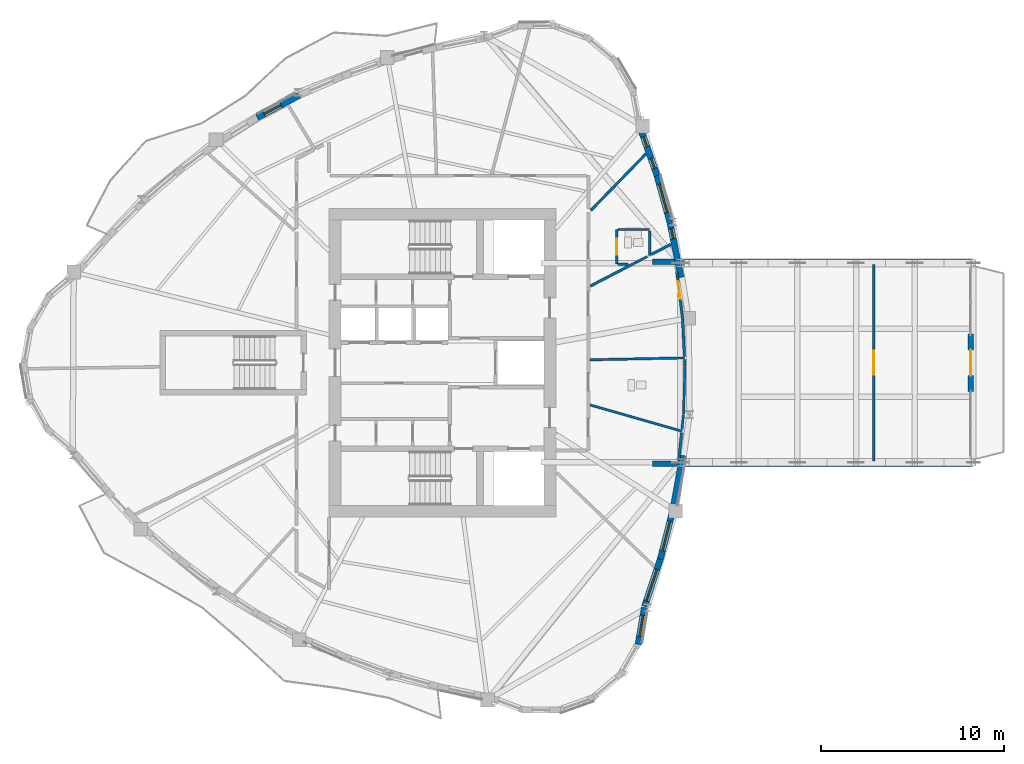
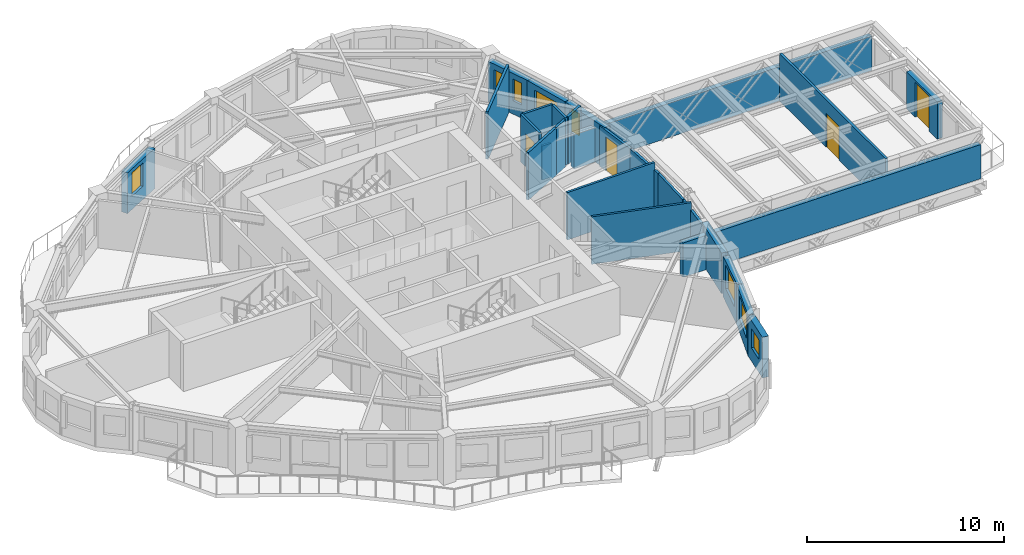
# One storey, part 8 of 13: 28 walls, 8 windows, 4 doors, 12 openings.
"""IFC4 building model written with IfcOpenShell, lengths in metres."""

from ifc_helpers import new_model, si_unit, direction, frame, frame_2d, origin, place, context, subcontext, project, spatial, rectangle, extrude, source, transform, mapped, material, layer, layer_set, type_object, element, fill, save


model = new_model("IFC4")

# Units and contexts
model_context = context("Model", 3, precision=1e-05, world=origin(), true_north=direction((0.0, 1.0)))
body_context = subcontext(model_context, "Body", "Model", "MODEL_VIEW")
ifc_project = project(units=[si_unit("LENGTHUNIT", "METRE"), si_unit("AREAUNIT", "SQUARE_METRE"), si_unit("VOLUMEUNIT", "CUBIC_METRE"), si_unit("PLANEANGLEUNIT", "RADIAN"), si_unit("MASSUNIT", "GRAM", prefix="KILO")], contexts=[model_context])

# Site, building, storey
site_placement = place(None, origin())
site = spatial("IfcSite", under=ifc_project, at=site_placement, CompositionType="ELEMENT")
building_placement = place(site_placement, origin())
building = spatial("IfcBuilding", under=site, at=building_placement, Name="Qafzar Sky-Pleat Residences", CompositionType="ELEMENT")
storey_placement = place(building_placement, frame((0.0, 0.0, 152.199951171875)))
storey = spatial("IfcBuildingStorey", under=building, at=storey_placement, Name="L45", CompositionType="ELEMENT", Elevation=152.199951171875)

# Wall, opening, door
ifc_material_1 = material(Name="Acoustic gypsum plasterboard partition", Category="gypsum")
ifc_layer_1 = layer(ifc_material_1, 0.14501953125)
ifc_layer_set_1 = layer_set([ifc_layer_1], Name="Acoustic gypsum plasterboard partition")
wall_type_1 = type_object("IfcWallType", Name="PART-UNIT-145", PredefinedType="PARTITIONING", material=ifc_layer_set_1)
wall_1_placement = place(storey_placement, frame((53.93798828125, 31.362060546875, 0.0), z_axis=(0.0, 0.0, 1.0), x_axis=(0.0, -1.0, 0.0)))
wall_1 = element("IfcWall", 1, at=wall_1_placement, inside=storey, type_object=wall_type_1, Name="L45 Partition Wall PART-L45-PW-001", PredefinedType="PARTITIONING", context=body_context, shape_type="SweptSolid", body=[
    extrude(rectangle(XDim=10.72412109375, YDim=0.14501953125, at=frame_2d((5.362060546875, 0.0))), origin(), (0.0, 0.0, 1.0), 2.93505859375),
])
opening_1_placement = place(wall_1_placement, frame((4.7119140625, 0.0, 0.0)))
opening_1 = element("IfcOpeningElement", 2, at=opening_1_placement, cuts=wall_1, Name="Opening ID-05", PredefinedType="OPENING", context=body_context, shape_type="SweptSolid", body=[
    extrude(rectangle(XDim=1.300048828125, YDim=2.10009765625, at=frame_2d((0.64990234375, 1.050048828125))), frame((0.0, 0.08251953125, 0.0), z_axis=(0.0, -1.0, 0.0), x_axis=(1.0, 0.0, 0.0)), (0.0, 0.0, 1.0), 0.1650390625),
])
ifc_material_2 = material(Name="Timber-faced fire door", Category="wood")
door_type_1 = type_object("IfcDoorType", Name="DR-LNG-1300", OperationType="DOUBLE_DOOR_SINGLE_SWING", PredefinedType="DOOR", material=ifc_material_2)
shared_shape_1 = source(origin(), body_context, "Body", "SweptSolid", [
    extrude(rectangle(XDim=1.300048828125, YDim=2.10009765625, at=frame_2d((0.64990234375, 1.050048828125))), frame((0.0, 0.02490234375, 0.0), z_axis=(0.0, -1.0, 0.0), x_axis=(1.0, 0.0, 0.0)), (0.0, 0.0, 1.0), 0.050048828125),
])
door_1_placement = place(opening_1_placement, origin())
door_1 = element("IfcDoor", 3, at=door_1_placement, inside=storey, type_object=door_type_1, Name="L45 Panorama Sky Lounge Door", OperationType="DOUBLE_DOOR_SINGLE_SWING", OverallHeight=2.10009765625, OverallWidth=1.300048828125, PredefinedType="DOOR", context=body_context, shape_type="MappedRepresentation", body=[
    mapped(shared_shape_1, transform((0.0, 0.0, 0.0), x_axis=(1.0, 0.0, 0.0), y_axis=(0.0, 1.0, 0.0), z_axis=(0.0, 0.0, 1.0), scale=1.0)),
])
fill(opening_1, door_1)

wall_2_placement = place(storey_placement, frame((43.172119140625, 30.951171875, 0.0), z_axis=(0.0, 0.0, 1.0), x_axis=(0.122990311665, -0.99240787141, 0.0)))
wall_2 = element("IfcWall", 4, at=wall_2_placement, inside=storey, type_object=wall_type_1, Name="L45 Partition Wall PART-L45-PW-010", PredefinedType="PARTITIONING", context=body_context, shape_type="SweptSolid", body=[
    extrude(rectangle(XDim=2.560791015625, YDim=0.14501953125, at=frame_2d((1.2802734375, 0.0))), origin(), (0.0, 0.0, 1.0), 2.5029296875),
])
opening_2_placement = place(wall_2_placement, frame((0.51025390625, 0.0, 0.0)))
opening_2 = element("IfcOpeningElement", 5, at=opening_2_placement, cuts=wall_2, Name="Opening ID-06", PredefinedType="OPENING", context=body_context, shape_type="SweptSolid", body=[
    extrude(rectangle(XDim=0.9599609375, YDim=2.10009765625, at=frame_2d((0.47998046875, 1.050048828125))), frame((0.0, 0.08251953125, 0.0), z_axis=(0.0, -1.0, 0.0), x_axis=(1.0, 0.0, 0.0)), (0.0, 0.0, 1.0), 0.1650390625),
])
door_type_2 = type_object("IfcDoorType", Name="DR-STD-960", OperationType="NOTDEFINED", PredefinedType="DOOR", material=ifc_material_2)
shared_shape_2 = source(origin(), body_context, "Body", "SweptSolid", [
    extrude(rectangle(XDim=0.9599609375, YDim=2.10009765625, at=frame_2d((0.47998046875, 1.050048828125))), frame((0.0, 0.02490234375, 0.0), z_axis=(0.0, -1.0, 0.0), x_axis=(1.0, 0.0, 0.0)), (0.0, 0.0, 1.0), 0.050048828125),
])
door_2_placement = place(opening_2_placement, origin())
door_2 = element("IfcDoor", 6, at=door_2_placement, inside=storey, type_object=door_type_2, Name="L45 Sky-Bar Reading Library Door", OperationType="SINGLE_SWING_LEFT", OverallHeight=2.10009765625, OverallWidth=0.9599609375, PredefinedType="DOOR", context=body_context, shape_type="MappedRepresentation", body=[
    mapped(shared_shape_2, transform((0.0, 0.0, 0.0), x_axis=(1.0, 0.0, 0.0), y_axis=(0.0, 1.0, 0.0), z_axis=(0.0, 0.0, 1.0), scale=1.0)),
])
fill(opening_2, door_2)

# Walls
wall_3_placement = place(storey_placement, frame((38.467529296875, 34.333251953125, 0.0), z_axis=(0.0, 0.0, 1.0), x_axis=(0.697683159601, 0.71640645503, 0.0)))
element("IfcWall", 7, at=wall_3_placement, inside=storey, type_object=wall_type_1, Name="L45 Partition Wall PART-L45-PW-025", PredefinedType="PARTITIONING", context=body_context, shape_type="SweptSolid", body=[
    extrude(rectangle(XDim=4.316162109375, YDim=0.14501953125, at=frame_2d((2.158203125, 0.0))), origin(), (0.0, 0.0, 1.0), 2.93505859375),
])
wall_4_placement = place(storey_placement, frame((38.450439453125, 30.200439453125, 0.0), z_axis=(0.0, 0.0, 1.0), x_axis=(0.887788385545, 0.460251868537, 0.0)))
element("IfcWall", 8, at=wall_4_placement, inside=storey, type_object=wall_type_1, Name="L45 Partition Wall PART-L45-PW-027", PredefinedType="PARTITIONING", context=body_context, shape_type="SweptSolid", body=[
    extrude(rectangle(XDim=2.619384765625, YDim=0.14501953125, at=frame_2d((1.3095703125, 0.0))), origin(), (0.0, 0.0, 1.0), 2.93505859375),
])
wall_5_placement = place(storey_placement, frame((43.48779296875, 28.39501953125, 0.0), z_axis=(0.0, 0.0, 1.0), x_axis=(0.047441179451, -0.998874033346, 0.0)))
element("IfcWall", 9, at=wall_5_placement, inside=storey, type_object=wall_type_1, Name="L45 Partition Wall PART-L45-PW-030", PredefinedType="PARTITIONING", context=body_context, shape_type="SweptSolid", body=[
    extrude(rectangle(XDim=2.058349609375, YDim=0.14501953125, at=frame_2d((1.029296875, 0.0))), origin(), (0.0, 0.0, 1.0), 2.5029296875),
])
wall_6_placement = place(storey_placement, frame((43.272705078125, 20.6455078125, 0.0), z_axis=(0.0, 0.0, 1.0), x_axis=(0.103045636414, 0.99467662927, 0.0)))
element("IfcWall", 10, at=wall_6_placement, inside=storey, type_object=wall_type_1, Name="L45 Partition Wall PART-L45-PW-037", PredefinedType="PARTITIONING", context=body_context, shape_type="SweptSolid", body=[
    extrude(rectangle(XDim=1.53515625, YDim=0.14501953125, at=frame_2d((0.767578125, 0.0))), origin(), (0.0, 0.0, 1.0), 2.5029296875),
])
wall_7_placement = place(storey_placement, frame((41.777587890625, 31.92578125, 0.0), z_axis=(0.0, 0.0, 1.0), x_axis=(0.887683122967, 0.460454854681, 0.0)))
element("IfcWall", 11, at=wall_7_placement, inside=storey, type_object=wall_type_1, Name="L45 Partition Wall PART-L45-PW-039", PredefinedType="PARTITIONING", context=body_context, shape_type="SweptSolid", body=[
    extrude(rectangle(XDim=1.1904296875, YDim=0.14501953125, at=frame_2d((0.59521484375, 0.0))), origin(), (0.0, 0.0, 1.0), 2.93505859375),
])

# Wall, opening, door
ifc_material_3 = material(Name="Moisture-resistant gypsum partition", Category="gypsum")
ifc_layer_2 = layer(ifc_material_3, 0.1298828125)
ifc_layer_set_2 = layer_set([ifc_layer_2], Name="Moisture-resistant gypsum partition")
wall_type_2 = type_object("IfcWallType", Name="PART-WET-130", PredefinedType="PARTITIONING", material=ifc_layer_set_2)
wall_8_placement = place(storey_placement, frame((39.886962890625, 33.291015625, 0.0), z_axis=(0.0, 0.0, 1.0), x_axis=(0.0, -1.0, 0.0)))
wall_8 = element("IfcWall", 12, at=wall_8_placement, inside=storey, type_object=wall_type_2, Name="L45 Partition Wall PART-L45-PW-014", PredefinedType="PARTITIONING", context=body_context, shape_type="SweptSolid", body=[
    extrude(rectangle(XDim=1.89990234375, YDim=0.1298828125, at=frame_2d((0.949951171875, 0.0))), origin(), (0.0, 0.0, 1.0), 2.93505859375),
])
opening_3_placement = place(wall_8_placement, frame((0.510009765625, 0.0, 0.0)))
opening_3 = element("IfcOpeningElement", 13, at=opening_3_placement, cuts=wall_8, Name="Opening ID-07", PredefinedType="OPENING", context=body_context, shape_type="SweptSolid", body=[
    extrude(rectangle(XDim=0.8798828125, YDim=2.050048828125, at=frame_2d((0.43994140625, 1.02490234375))), frame((0.0, 0.074951171875, 0.0), z_axis=(0.0, -1.0, 0.0), x_axis=(1.0, 0.0, 0.0)), (0.0, 0.0, 1.0), 0.14990234375),
])
door_type_3 = type_object("IfcDoorType", Name="DR-WET-880", OperationType="NOTDEFINED", PredefinedType="DOOR", material=ifc_material_2)
shared_shape_3 = source(origin(), body_context, "Body", "SweptSolid", [
    extrude(rectangle(XDim=0.8798828125, YDim=2.050048828125, at=frame_2d((0.43994140625, 1.02490234375))), frame((0.0, 0.02490234375, 0.0), z_axis=(0.0, -1.0, 0.0), x_axis=(1.0, 0.0, 0.0)), (0.0, 0.0, 1.0), 0.050048828125),
])
door_3_placement = place(opening_3_placement, origin())
door_3 = element("IfcDoor", 14, at=door_3_placement, inside=storey, type_object=door_type_3, Name="L45 En-suite Bathroom 1 Door", OperationType="SINGLE_SWING_RIGHT", OverallHeight=2.050048828125, OverallWidth=0.8798828125, PredefinedType="DOOR", context=body_context, shape_type="MappedRepresentation", body=[
    mapped(shared_shape_3, transform((0.0, 0.0, 0.0), x_axis=(1.0, 0.0, 0.0), y_axis=(0.0, 1.0, 0.0), z_axis=(0.0, 0.0, 1.0), scale=1.0)),
])
fill(opening_3, door_3)

# Walls
wall_9_placement = place(storey_placement, frame((38.435546875, 23.688720703125, 0.0), z_axis=(0.0, 0.0, 1.0), x_axis=(0.961531027854, -0.274696345942, 0.0)))
element("IfcWall", 15, at=wall_9_placement, inside=storey, type_object=wall_type_2, Name="L45 Partition Wall PART-L45-PW-022", PredefinedType="PARTITIONING", context=body_context, shape_type="SweptSolid", body=[
    extrude(rectangle(XDim=5.20458984375, YDim=0.1298828125, at=frame_2d((2.602294921875, 0.0))), origin(), (0.0, 0.0, 1.0), 2.93505859375),
])
wall_10_placement = place(storey_placement, frame((38.419189453125, 26.160888671875, 0.0), z_axis=(0.0, 0.0, 1.0), x_axis=(0.999801492135, 0.019924264719, 0.0)))
element("IfcWall", 16, at=wall_10_placement, inside=storey, type_object=wall_type_2, Name="L45 Partition Wall PART-L45-PW-023", PredefinedType="PARTITIONING", context=body_context, shape_type="SweptSolid", body=[
    extrude(rectangle(XDim=5.1708984375, YDim=0.1298828125, at=frame_2d((2.58544921875, 0.0))), origin(), (0.0, 0.0, 1.0), 2.93505859375),
])
wall_11_placement = place(storey_placement, frame((43.537109375, 23.18994140625, 0.0), z_axis=(0.0, 0.0, 1.0), x_axis=(0.028319632762, 0.999598918767, 0.0)))
element("IfcWall", 17, at=wall_11_placement, inside=storey, type_object=wall_type_2, Name="L45 Partition Wall PART-L45-PW-028", PredefinedType="PARTITIONING", context=body_context, shape_type="SweptSolid", body=[
    extrude(rectangle(XDim=2.612060546875, YDim=0.1298828125, at=frame_2d((1.30615234375, 0.0))), origin(), (0.0, 0.0, 1.0), 2.5029296875),
])
wall_12_placement = place(storey_placement, frame((39.9599609375, 33.291015625, 0.0), z_axis=(0.0, 0.0, 1.0), x_axis=(1.0, 0.0, 0.0)))
element("IfcWall", 18, at=wall_12_placement, inside=storey, type_object=wall_type_2, Name="L45 Partition Wall PART-L45-PW-031", PredefinedType="PARTITIONING", context=body_context, shape_type="SweptSolid", body=[
    extrude(rectangle(XDim=1.72705078125, YDim=0.1298828125, at=frame_2d((0.863525390625, 0.0))), origin(), (0.0, 0.0, 1.0), 2.93505859375),
])
wall_13_placement = place(storey_placement, frame((41.68701171875, 31.87890625, 0.0), z_axis=(0.0, 0.0, 1.0), x_axis=(0.0, 1.0, 0.0)))
element("IfcWall", 19, at=wall_13_placement, inside=storey, type_object=wall_type_2, Name="L45 Partition Wall PART-L45-PW-038", PredefinedType="PARTITIONING", context=body_context, shape_type="SweptSolid", body=[
    extrude(rectangle(XDim=1.339111328125, YDim=0.1298828125, at=frame_2d((0.66943359375, 0.0))), origin(), (0.0, 0.0, 1.0), 2.93505859375),
])
wall_14_placement = place(storey_placement, frame((40.789306640625, 31.4130859375, 0.0), z_axis=(0.0, 0.0, 1.0), x_axis=(0.887895541879, 0.460045113779, 0.0)))
element("IfcWall", 20, at=wall_14_placement, inside=storey, type_object=wall_type_2, Name="L45 Partition Wall PART-L45-PW-042", PredefinedType="PARTITIONING", context=body_context, shape_type="SweptSolid", body=[
    extrude(rectangle(XDim=0.864501953125, YDim=0.1298828125, at=frame_2d((0.43212890625, 0.0))), origin(), (0.0, 0.0, 1.0), 2.93505859375),
])
wall_15_placement = place(storey_placement, frame((43.450439453125, 22.35888671875, 0.0), z_axis=(0.0, 0.0, 1.0), x_axis=(0.103538633142, 0.994625432737, 0.0)))
element("IfcWall", 21, at=wall_15_placement, inside=storey, type_object=wall_type_2, Name="L45 Partition Wall PART-L45-PW-043", PredefinedType="PARTITIONING", context=body_context, shape_type="SweptSolid", body=[
    extrude(rectangle(XDim=0.820556640625, YDim=0.1298828125, at=frame_2d((0.41015625, 0.0))), origin(), (0.0, 0.0, 1.0), 2.5029296875),
])
wall_16_placement = place(storey_placement, frame((39.9599609375, 31.39111328125, 0.0), z_axis=(0.0, 0.0, 1.0), x_axis=(1.0, 0.0, 0.0)))
element("IfcWall", 22, at=wall_16_placement, inside=storey, type_object=wall_type_2, Name="L45 Partition Wall PART-L45-PW-045", PredefinedType="PARTITIONING", context=body_context, shape_type="SweptSolid", body=[
    extrude(rectangle(XDim=0.546142578125, YDim=0.1298828125, at=frame_2d((0.27294921875, 0.0))), origin(), (0.0, 0.0, 1.0), 2.10302734375),
])
wall_17_placement = place(storey_placement, frame((43.59326171875, 26.17431640625, 0.0), z_axis=(0.0, 0.0, 1.0), x_axis=(0.04762980516, -0.998865056782, 0.0)))
element("IfcWall", 23, at=wall_17_placement, inside=storey, type_object=wall_type_2, Name="L45 Partition Wall PART-L45-PW-047", PredefinedType="PARTITIONING", context=body_context, shape_type="SweptSolid", body=[
    extrude(rectangle(XDim=0.35888671875, YDim=0.1298828125, at=frame_2d((0.179443359375, 0.0))), origin(), (0.0, 0.0, 1.0), 2.5029296875),
])
ifc_material_4 = material(Name="Precast concrete C40/50 with honed Riyadh limestone", Category="concrete")
ifc_layer_3 = layer(ifc_material_4, 0.300048828125)
ifc_layer_set_3 = layer_set([ifc_layer_3], Name="Precast concrete C40/50 with honed Riyadh limestone")
wall_type_3 = type_object("IfcWallType", Name="WALL-EXT-300", PredefinedType="SOLIDWALL", material=ifc_layer_set_3)
for number, where, z_axis, x_axis, name in (
    (24, (41.85009765625, 31.52001953125, 0.0), (0.0, 0.0, 1.0), (1.0, 0.0, 0.0), "L45 SB-4 Side Spandrel Wall L"),
    (25, (41.85009765625, 20.47998046875, 0.0), (0.0, 0.0, 1.0), (1.0, 0.0, 0.0), "L45 SB-4 Side Spandrel Wall R"),
):
    element("IfcWall", number, at=place(storey_placement, frame(where, z_axis=z_axis, x_axis=x_axis)), inside=storey, type_object=wall_type_3, Name=name, PredefinedType="SOLIDWALL", context=body_context, shape_type="SweptSolid", body=[
        extrude(rectangle(XDim=17.422607421875, YDim=0.300048828125, at=frame_2d((8.71142578125, 0.0))), origin(), (0.0, 0.0, 1.0), 2.114990234375),
    ])

# Wall, opening, door
wall_18_placement = place(storey_placement, frame((59.24267578125, 27.56005859375, 0.0), z_axis=(0.0, 0.0, 1.0), x_axis=(0.0, -1.0, 0.0)))
wall_18 = element("IfcWall", 26, at=wall_18_placement, inside=storey, type_object=wall_type_3, Name="L45 SB-4 Prow Portal Wall", PredefinedType="SOLIDWALL", context=body_context, shape_type="SweptSolid", body=[
    extrude(rectangle(XDim=3.1201171875, YDim=0.300048828125, at=frame_2d((1.56005859375, 0.0))), origin(), (0.0, 0.0, 1.0), 2.300048828125),
])
opening_4_placement = place(wall_18_placement, frame((0.860107421875, 0.0, 0.0)))
opening_4 = element("IfcOpeningElement", 27, at=opening_4_placement, cuts=wall_18, Name="Opening ED-07", PredefinedType="OPENING", context=body_context, shape_type="SweptSolid", body=[
    extrude(rectangle(XDim=1.39990234375, YDim=2.14990234375, at=frame_2d((0.699951171875, 1.074951171875))), frame((0.0, 0.16015625, 0.0), z_axis=(0.0, -1.0, 0.0), x_axis=(1.0, 0.0, 0.0)), (0.0, 0.0, 1.0), 0.320068359375),
])
ifc_material_5 = material(Name="Glazed bronze aluminium door", Category="aluminium")
door_type_4 = type_object("IfcDoorType", Name="DR-SB-1400", OperationType="DOUBLE_DOOR_SINGLE_SWING", PredefinedType="DOOR", material=ifc_material_5)
shared_shape_4 = source(origin(), body_context, "Body", "SweptSolid", [
    extrude(rectangle(XDim=1.39990234375, YDim=2.14990234375, at=frame_2d((0.699951171875, 1.074951171875))), frame((0.0, 0.02490234375, 0.0), z_axis=(0.0, -1.0, 0.0), x_axis=(1.0, 0.0, 0.0)), (0.0, 0.0, 1.0), 0.050048828125),
])
door_4_placement = place(opening_4_placement, origin())
door_4 = element("IfcDoor", 28, at=door_4_placement, inside=storey, type_object=door_type_4, Name="L45 SB-4 Tip Balcony Glazed Door", OperationType="DOUBLE_DOOR_SINGLE_SWING", OverallHeight=2.14990234375, OverallWidth=1.39990234375, PredefinedType="DOOR", context=body_context, shape_type="MappedRepresentation", body=[
    mapped(shared_shape_4, transform((0.0, 0.0, 0.0), x_axis=(1.0, 0.0, 0.0), y_axis=(0.0, 1.0, 0.0), z_axis=(0.0, 0.0, 1.0), scale=1.0)),
])
fill(opening_4, door_4)

# Wall, opening, window
ifc_layer_4 = layer(ifc_material_4, 0.340087890625)
ifc_layer_set_4 = layer_set([ifc_layer_4], Name="Precast concrete C40/50 with honed Riyadh limestone")
wall_type_4 = type_object("IfcWallType", Name="WALL-EXT-340", PredefinedType="SOLIDWALL", material=ifc_layer_set_4)
wall_19_placement = place(storey_placement, frame((41.054931640625, 10.591064453125, 0.0), z_axis=(0.0, 0.0, 1.0), x_axis=(0.165731018204, 0.9861709941, 0.0)))
wall_19 = element("IfcWall", 29, at=wall_19_placement, inside=storey, type_object=wall_type_4, Name="L45 Limestone Facade Wall 22", PredefinedType="SOLIDWALL", context=body_context, shape_type="SweptSolid", body=[
    extrude(rectangle(XDim=2.050537109375, YDim=0.340087890625, at=frame_2d((1.025390625, 0.0))), origin(), (0.0, 0.0, 1.0), 2.51513671875),
])
opening_5_placement = place(wall_19_placement, frame((0.460205078125, 0.0, 0.820068359375)))
opening_5 = element("IfcOpeningElement", 30, at=opening_5_placement, cuts=wall_19, Name="Opening WN-16", PredefinedType="OPENING", context=body_context, shape_type="SweptSolid", body=[
    extrude(rectangle(XDim=1.14990234375, YDim=1.199951171875, at=frame_2d((0.574951171875, 0.60009765625))), frame((0.0, 0.18017578125, 0.0), z_axis=(0.0, -1.0, 0.0), x_axis=(1.0, 0.0, 0.0)), (0.0, 0.0, 1.0), 0.360107421875),
])
ifc_material_6 = material(Name="Solar-control low-E glass in bronze aluminium frame", Category="glass")
window_type_1 = type_object("IfcWindowType", Name="WIN-16", PartitioningType="SINGLE_PANEL", PredefinedType="WINDOW", material=ifc_material_6)
shared_shape_5 = source(origin(), body_context, "Body", "SweptSolid", [
    extrude(rectangle(XDim=1.14990234375, YDim=1.199951171875, at=frame_2d((0.574951171875, 0.60009765625))), frame((0.0, 0.030029296875, 0.0), z_axis=(0.0, -1.0, 0.0), x_axis=(1.0, 0.0, 0.0)), (0.0, 0.0, 1.0), 0.06005859375),
])
window_1_placement = place(opening_5_placement, origin())
window_1 = element("IfcWindow", 31, at=window_1_placement, inside=storey, type_object=window_type_1, Name="L45 Punched Facade Window 22", OverallHeight=1.199951171875, OverallWidth=1.14990234375, PartitioningType="SINGLE_PANEL", PredefinedType="WINDOW", context=body_context, shape_type="MappedRepresentation", body=[
    mapped(shared_shape_5, transform((0.0, 0.0, 0.0), x_axis=(1.0, 0.0, 0.0), y_axis=(0.0, 1.0, 0.0), z_axis=(0.0, 0.0, 1.0), scale=1.0)),
])
fill(opening_5, window_1)

wall_20_placement = place(storey_placement, frame((41.41064453125, 12.677490234375, 0.0), z_axis=(0.0, 0.0, 1.0), x_axis=(0.31445026244, 0.949273950159, 0.0)))
wall_20 = element("IfcWall", 32, at=wall_20_placement, inside=storey, type_object=wall_type_4, Name="L45 Limestone Facade Wall 23", PredefinedType="SOLIDWALL", context=body_context, shape_type="SweptSolid", body=[
    extrude(rectangle(XDim=2.802734375, YDim=0.340087890625, at=frame_2d((1.4013671875, 0.0))), origin(), (0.0, 0.0, 1.0), 2.51513671875),
])
opening_6_placement = place(wall_20_placement, frame((0.32080078125, 0.0, 0.820068359375)))
opening_6 = element("IfcOpeningElement", 33, at=opening_6_placement, cuts=wall_20, Name="Opening WN-01", PredefinedType="OPENING", context=body_context, shape_type="SweptSolid", body=[
    extrude(rectangle(XDim=1.800048828125, YDim=1.449951171875, at=frame_2d((0.89990234375, 0.72509765625))), frame((0.0, 0.18017578125, 0.0), z_axis=(0.0, -1.0, 0.0), x_axis=(1.0, 0.0, 0.0)), (0.0, 0.0, 1.0), 0.360107421875),
])
window_type_2 = type_object("IfcWindowType", Name="WIN-01", PartitioningType="DOUBLE_PANEL_VERTICAL", PredefinedType="WINDOW", material=ifc_material_6)
shared_shape_6 = source(origin(), body_context, "Body", "SweptSolid", [
    extrude(rectangle(XDim=1.800048828125, YDim=1.449951171875, at=frame_2d((0.89990234375, 0.72509765625))), frame((0.0, 0.030029296875, 0.0), z_axis=(0.0, -1.0, 0.0), x_axis=(1.0, 0.0, 0.0)), (0.0, 0.0, 1.0), 0.06005859375),
])
window_2_placement = place(opening_6_placement, origin())
window_2 = element("IfcWindow", 34, at=window_2_placement, inside=storey, type_object=window_type_2, Name="L45 Punched Facade Window 23", OverallHeight=1.449951171875, OverallWidth=1.800048828125, PartitioningType="SINGLE_PANEL", PredefinedType="WINDOW", context=body_context, shape_type="MappedRepresentation", body=[
    mapped(shared_shape_6, transform((0.0, 0.0, 0.0), x_axis=(1.0, 0.0, 0.0), y_axis=(0.0, 1.0, 0.0), z_axis=(0.0, 0.0, 1.0), scale=1.0)),
])
fill(opening_6, window_2)

wall_21_placement = place(storey_placement, frame((42.267333984375, 15.25390625, 0.0), z_axis=(0.0, 0.0, 1.0), x_axis=(0.247727064013, 0.96882986213, 0.0)))
wall_21 = element("IfcWall", 35, at=wall_21_placement, inside=storey, type_object=wall_type_4, Name="L45 Limestone Facade Wall 24", PredefinedType="SOLIDWALL", context=body_context, shape_type="SweptSolid", body=[
    extrude(rectangle(XDim=2.609619140625, YDim=0.340087890625, at=frame_2d((1.3046875, 0.0))), origin(), (0.0, 0.0, 1.0), 2.51513671875),
])
opening_7_placement = place(wall_21_placement, frame((0.48486328125, 0.0, 0.820068359375)))
opening_7 = element("IfcOpeningElement", 36, at=opening_7_placement, cuts=wall_21, Name="Opening WN-02", PredefinedType="OPENING", context=body_context, shape_type="SweptSolid", body=[
    extrude(rectangle(XDim=1.64990234375, YDim=1.449951171875, at=frame_2d((0.824951171875, 0.72509765625))), frame((0.0, 0.18017578125, 0.0), z_axis=(0.0, -1.0, 0.0), x_axis=(1.0, 0.0, 0.0)), (0.0, 0.0, 1.0), 0.360107421875),
])
window_type_3 = type_object("IfcWindowType", Name="WIN-02", PartitioningType="DOUBLE_PANEL_VERTICAL", PredefinedType="WINDOW", material=ifc_material_6)
shared_shape_7 = source(origin(), body_context, "Body", "SweptSolid", [
    extrude(rectangle(XDim=1.64990234375, YDim=1.449951171875, at=frame_2d((0.824951171875, 0.72509765625))), frame((0.0, 0.030029296875, 0.0), z_axis=(0.0, -1.0, 0.0), x_axis=(1.0, 0.0, 0.0)), (0.0, 0.0, 1.0), 0.06005859375),
])
window_3_placement = place(opening_7_placement, origin())
window_3 = element("IfcWindow", 37, at=window_3_placement, inside=storey, type_object=window_type_3, Name="L45 Punched Facade Window 24", OverallHeight=1.449951171875, OverallWidth=1.64990234375, PartitioningType="SINGLE_PANEL", PredefinedType="WINDOW", context=body_context, shape_type="MappedRepresentation", body=[
    mapped(shared_shape_7, transform((0.0, 0.0, 0.0), x_axis=(1.0, 0.0, 0.0), y_axis=(0.0, 1.0, 0.0), z_axis=(0.0, 0.0, 1.0), scale=1.0)),
])
fill(opening_7, window_3)

# Wall
wall_22_placement = place(storey_placement, frame((42.976806640625, 18.072998046875, 0.0), z_axis=(0.0, 0.0, 1.0), x_axis=(0.177185533742, 0.984177467042, 0.0)))
element("IfcWall", 38, at=wall_22_placement, inside=storey, type_object=wall_type_4, Name="L45 Limestone Facade Wall 25", PredefinedType="SOLIDWALL", context=body_context, shape_type="SweptSolid", body=[
    extrude(rectangle(XDim=2.9072265625, YDim=0.340087890625, at=frame_2d((1.45361328125, 0.0))), origin(), (0.0, 0.0, 1.0), 2.51513671875),
])

# Wall, opening, window
wall_23_placement = place(storey_placement, frame((43.39794921875, 30.664306640625, 0.0), z_axis=(0.0, 0.0, 1.0), x_axis=(-0.196147002944, 0.980574501624, 0.0)))
wall_23 = element("IfcWall", 39, at=wall_23_placement, inside=storey, type_object=wall_type_4, Name="L45 Limestone Facade Wall 30", PredefinedType="SOLIDWALL", context=body_context, shape_type="SweptSolid", body=[
    extrude(rectangle(XDim=3.0419921875, YDim=0.340087890625, at=frame_2d((1.52099609375, 0.0))), origin(), (0.0, 0.0, 1.0), 2.51513671875),
])
opening_8_placement = place(wall_23_placement, frame((2.149169921875, 0.0, 0.820068359375)))
opening_8 = element("IfcOpeningElement", 40, at=opening_8_placement, cuts=wall_23, Name="Opening WN-17", PredefinedType="OPENING", context=body_context, shape_type="SweptSolid", body=[
    extrude(rectangle(XDim=0.580078125, YDim=1.35009765625, at=frame_2d((0.2900390625, 0.675048828125))), frame((0.0, 0.18017578125, 0.0), z_axis=(0.0, -1.0, 0.0), x_axis=(1.0, 0.0, 0.0)), (0.0, 0.0, 1.0), 0.360107421875),
])
window_type_4 = type_object("IfcWindowType", Name="WIN-17", PartitioningType="SINGLE_PANEL", PredefinedType="WINDOW", material=ifc_material_6)
shared_shape_8 = source(origin(), body_context, "Body", "SweptSolid", [
    extrude(rectangle(XDim=0.580078125, YDim=1.35009765625, at=frame_2d((0.2900390625, 0.675048828125))), frame((0.0, 0.030029296875, 0.0), z_axis=(0.0, -1.0, 0.0), x_axis=(1.0, 0.0, 0.0)), (0.0, 0.0, 1.0), 0.06005859375),
])
window_4_placement = place(opening_8_placement, origin())
window_4 = element("IfcWindow", 41, at=window_4_placement, inside=storey, type_object=window_type_4, Name="L45 Punched Facade Window 30-3", OverallHeight=1.35009765625, OverallWidth=0.580078125, PartitioningType="SINGLE_PANEL", PredefinedType="WINDOW", context=body_context, shape_type="MappedRepresentation", body=[
    mapped(shared_shape_8, transform((0.0, 0.0, 0.0), x_axis=(1.0, 0.0, 0.0), y_axis=(0.0, 1.0, 0.0), z_axis=(0.0, 0.0, 1.0), scale=1.0)),
])
fill(opening_8, window_4)

wall_24_placement = place(storey_placement, frame((42.794921875, 33.67431640625, 0.0), z_axis=(0.0, 0.0, 1.0), x_axis=(-0.266404970566, 0.963861188999, 0.0)))
wall_24 = element("IfcWall", 42, at=wall_24_placement, inside=storey, type_object=wall_type_4, Name="L45 Limestone Facade Wall 31", PredefinedType="SOLIDWALL", context=body_context, shape_type="SweptSolid", body=[
    extrude(rectangle(XDim=2.74462890625, YDim=0.340087890625, at=frame_2d((1.372314453125, 0.0))), origin(), (0.0, 0.0, 1.0), 2.51513671875),
])
opening_9_placement = place(wall_24_placement, frame((0.5625, 0.0, 0.820068359375)))
opening_9 = element("IfcOpeningElement", 43, at=opening_9_placement, cuts=wall_24, Name="Opening WN-09", PredefinedType="OPENING", context=body_context, shape_type="SweptSolid", body=[
    extrude(rectangle(XDim=1.60009765625, YDim=1.35009765625, at=frame_2d((0.800048828125, 0.675048828125))), frame((0.0, 0.18017578125, 0.0), z_axis=(0.0, -1.0, 0.0), x_axis=(1.0, 0.0, 0.0)), (0.0, 0.0, 1.0), 0.360107421875),
])
window_type_5 = type_object("IfcWindowType", Name="WIN-09", PartitioningType="DOUBLE_PANEL_VERTICAL", PredefinedType="WINDOW", material=ifc_material_6)
shared_shape_9 = source(origin(), body_context, "Body", "SweptSolid", [
    extrude(rectangle(XDim=1.60009765625, YDim=1.35009765625, at=frame_2d((0.800048828125, 0.675048828125))), frame((0.0, 0.030029296875, 0.0), z_axis=(0.0, -1.0, 0.0), x_axis=(1.0, 0.0, 0.0)), (0.0, 0.0, 1.0), 0.06005859375),
])
window_5_placement = place(opening_9_placement, origin())
window_5 = element("IfcWindow", 44, at=window_5_placement, inside=storey, type_object=window_type_5, Name="L45 Punched Facade Window 31", OverallHeight=1.35009765625, OverallWidth=1.60009765625, PartitioningType="SINGLE_PANEL", PredefinedType="WINDOW", context=body_context, shape_type="MappedRepresentation", body=[
    mapped(shared_shape_9, transform((0.0, 0.0, 0.0), x_axis=(1.0, 0.0, 0.0), y_axis=(0.0, 1.0, 0.0), z_axis=(0.0, 0.0, 1.0), scale=1.0)),
])
fill(opening_9, window_5)

# Wall, openings, windows
wall_25_placement = place(storey_placement, frame((42.090087890625, 36.236083984375, 0.0), z_axis=(0.0, 0.0, 1.0), x_axis=(-0.332705243691, 0.943030869495, 0.0)))
wall_25 = element("IfcWall", 45, at=wall_25_placement, inside=storey, type_object=wall_type_4, Name="L45 Limestone Facade Wall 32", PredefinedType="SOLIDWALL", context=body_context, shape_type="SweptSolid", body=[
    extrude(rectangle(XDim=2.668212890625, YDim=0.340087890625, at=frame_2d((1.333984375, 0.0))), origin(), (0.0, 0.0, 1.0), 2.51513671875),
])
opening_10_placement = place(wall_25_placement, frame((0.41748046875, 0.0, 0.820068359375)))
opening_10 = element("IfcOpeningElement", 46, at=opening_10_placement, cuts=wall_25, Name="Opening WN-17", PredefinedType="OPENING", context=body_context, shape_type="SweptSolid", body=[
    extrude(rectangle(XDim=0.580078125, YDim=1.35009765625, at=frame_2d((0.2900390625, 0.675048828125))), frame((0.0, 0.18017578125, 0.0), z_axis=(0.0, -1.0, 0.0), x_axis=(1.0, 0.0, 0.0)), (0.0, 0.0, 1.0), 0.360107421875),
])
opening_11_placement = place(wall_25_placement, frame((1.676513671875, 0.0, 0.820068359375)))
opening_11 = element("IfcOpeningElement", 47, at=opening_11_placement, cuts=wall_25, Name="Opening WN-17", PredefinedType="OPENING", context=body_context, shape_type="SweptSolid", body=[
    extrude(rectangle(XDim=0.580078125, YDim=1.35009765625, at=frame_2d((0.2900390625, 0.675048828125))), frame((0.0, 0.18017578125, 0.0), z_axis=(0.0, -1.0, 0.0), x_axis=(1.0, 0.0, 0.0)), (0.0, 0.0, 1.0), 0.360107421875),
])
window_6_placement = place(opening_10_placement, origin())
window_6 = element("IfcWindow", 48, at=window_6_placement, inside=storey, type_object=window_type_4, Name="L45 Punched Facade Window 32", OverallHeight=1.35009765625, OverallWidth=0.580078125, PartitioningType="SINGLE_PANEL", PredefinedType="WINDOW", context=body_context, shape_type="MappedRepresentation", body=[
    mapped(shared_shape_8, transform((0.0, 0.0, 0.0), x_axis=(1.0, 0.0, 0.0), y_axis=(0.0, 1.0, 0.0), z_axis=(0.0, 0.0, 1.0), scale=1.0)),
])
fill(opening_10, window_6)
window_7_placement = place(opening_11_placement, origin())
window_7 = element("IfcWindow", 49, at=window_7_placement, inside=storey, type_object=window_type_4, Name="L45 Punched Facade Window 32-2", OverallHeight=1.35009765625, OverallWidth=0.580078125, PartitioningType="SINGLE_PANEL", PredefinedType="WINDOW", context=body_context, shape_type="MappedRepresentation", body=[
    mapped(shared_shape_8, transform((0.0, 0.0, 0.0), x_axis=(1.0, 0.0, 0.0), y_axis=(0.0, 1.0, 0.0), z_axis=(0.0, 0.0, 1.0), scale=1.0)),
])
fill(opening_11, window_7)

# Wall, opening, window
wall_26_placement = place(storey_placement, frame((22.5166015625, 40.626708984375, 0.0), z_axis=(0.0, 0.0, 1.0), x_axis=(-0.884374030812, -0.466778934427, 0.0)))
wall_26 = element("IfcWall", 50, at=wall_26_placement, inside=storey, type_object=wall_type_4, Name="L45 Limestone Facade Wall 43", PredefinedType="SOLIDWALL", context=body_context, shape_type="SweptSolid", body=[
    extrude(rectangle(XDim=2.611083984375, YDim=0.340087890625, at=frame_2d((1.3056640625, 0.0))), origin(), (0.0, 0.0, 1.0), 2.51513671875),
])
opening_12_placement = place(wall_26_placement, frame((1.1328125, 0.0, 0.820068359375)))
opening_12 = element("IfcOpeningElement", 51, at=opening_12_placement, cuts=wall_26, Name="Opening WN-06", PredefinedType="OPENING", context=body_context, shape_type="SweptSolid", body=[
    extrude(rectangle(XDim=1.050048828125, YDim=1.449951171875, at=frame_2d((0.52490234375, 0.72509765625))), frame((0.0, 0.18017578125, 0.0), z_axis=(0.0, -1.0, 0.0), x_axis=(1.0, 0.0, 0.0)), (0.0, 0.0, 1.0), 0.360107421875),
])
window_type_6 = type_object("IfcWindowType", Name="WIN-06", PartitioningType="SINGLE_PANEL", PredefinedType="WINDOW", material=ifc_material_6)
shared_shape_10 = source(origin(), body_context, "Body", "SweptSolid", [
    extrude(rectangle(XDim=1.050048828125, YDim=1.449951171875, at=frame_2d((0.52490234375, 0.72509765625))), frame((0.0, 0.030029296875, 0.0), z_axis=(0.0, -1.0, 0.0), x_axis=(1.0, 0.0, 0.0)), (0.0, 0.0, 1.0), 0.06005859375),
])
window_8_placement = place(opening_12_placement, origin())
window_8 = element("IfcWindow", 52, at=window_8_placement, inside=storey, type_object=window_type_6, Name="L45 Punched Facade Window 43-2", OverallHeight=1.449951171875, OverallWidth=1.050048828125, PartitioningType="SINGLE_PANEL", PredefinedType="WINDOW", context=body_context, shape_type="MappedRepresentation", body=[
    mapped(shared_shape_10, transform((0.0, 0.0, 0.0), x_axis=(1.0, 0.0, 0.0), y_axis=(0.0, 1.0, 0.0), z_axis=(0.0, 0.0, 1.0), scale=1.0)),
])
fill(opening_12, window_8)

save(model, "model.ifc")
